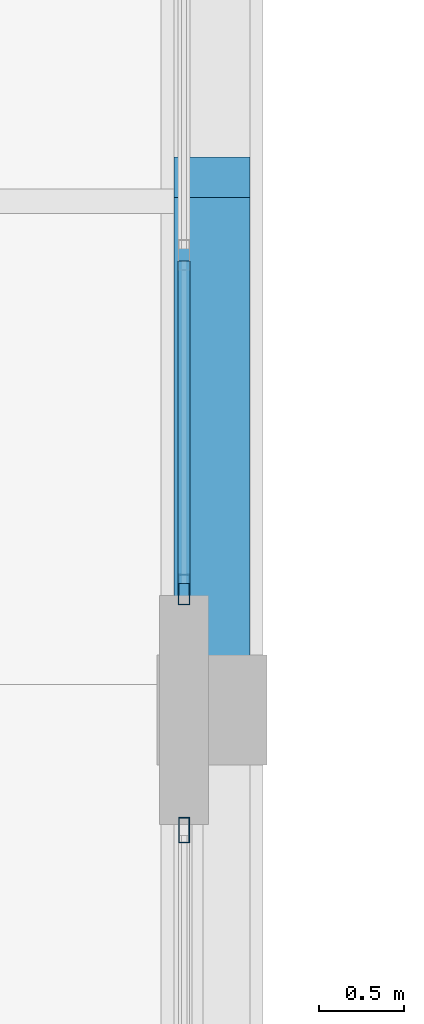
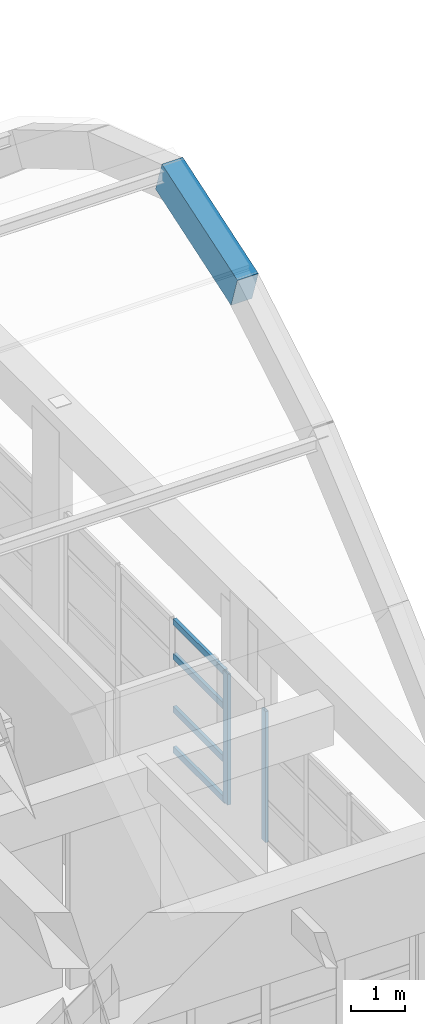
# One storey, part 51 of 103: 6 members, 1 beam, 2 elements without a shape of their own.
"""IFC4 building model written with IfcOpenShell, lengths in metres."""

from ifc_helpers import new_model, si_unit, direction, frame, origin, origin_2d, place, context, subcontext, project, spatial, rectangle, hollow_rectangle, extrude, material, layer, layer_set, material_profile, profile_set, type_object, element, aggregate, save


model = new_model("IFC4")

# Units and contexts
model_context = context("Model", 3, precision=1e-05, world=origin(), true_north=direction((0.0, 1.0)))
body_context = subcontext(model_context, "Body", "Model", "MODEL_VIEW")
ifc_project = project(units=[si_unit("LENGTHUNIT", "METRE"), si_unit("AREAUNIT", "SQUARE_METRE"), si_unit("VOLUMEUNIT", "CUBIC_METRE"), si_unit("PLANEANGLEUNIT", "RADIAN"), si_unit("MASSUNIT", "GRAM", prefix="KILO")], contexts=[model_context])

# Site, building, storey
site_placement = place(None, origin())
site = spatial("IfcSite", under=ifc_project, at=site_placement, CompositionType="ELEMENT")
building_placement = place(site_placement, origin())
building = spatial("IfcBuilding", under=site, at=building_placement, Name="Quendrovan Civic Courthouse", CompositionType="ELEMENT")
storey_placement = place(building_placement, frame((0.0, 0.0, 15.300048828125)))
storey = spatial("IfcBuildingStorey", under=building, at=storey_placement, Name="L04", CompositionType="ELEMENT", Elevation=15.300048828125)

# Beam
ifc_material_1 = material(Name="Concrete C40/50", Category="concrete")
ifc_material_profile_1 = material_profile(ifc_material_1, rectangle(XDim=0.449951171875, YDim=0.75, at=origin_2d()), Name="RC-VRIB-450x750")
ifc_profile_set_1 = profile_set([ifc_material_profile_1], Name="Concrete C40/50")
beam_type = type_object("IfcBeamType", Name="BM-VRIB750", PredefinedType="BEAM", material=ifc_profile_set_1)
beam_placement = place(storey_placement, frame((92.39990234375, 73.531494140625, 11.811279296875), z_axis=(0.0, 0.948848042791, 0.315733101989), x_axis=(-1.0, 0.0, 0.0)))
element("IfcBeam", 1, at=beam_placement, inside=storey, type_object=beam_type, Name="BV2 Concrete Vault Arch Rib A8-C4", PredefinedType="BEAM", context=body_context, shape_type="SweptSolid", body=[
    extrude(rectangle(XDim=0.449951171875, YDim=0.75, at=origin_2d()), origin(), (0.0, 0.0, 1.0), 2.96142578125),
])

# Curtain wall, member
ifc_material_2 = material(Name="Bronze anodised aluminium and low-E glass", Category="aluminium")
ifc_layer_1 = layer(ifc_material_2, 0.179931640625, Name="Bronze anodised aluminium and low-E glass")
ifc_layer_set_1 = layer_set([ifc_layer_1], Name="Bronze anodised aluminium and low-E glass")
curtain_wall_type_1 = type_object("IfcCurtainWallType", Name="CW-U60x30", PredefinedType="USERDEFINED", material=ifc_layer_set_1)
curtain_wall_1_placement = place(storey_placement, origin())
curtain_wall_1 = element("IfcCurtainWall", 2, at=curtain_wall_1_placement, inside=storey, type_object=curtain_wall_type_1, Name="L04 Unitised Hurricane Curtain Wall CW-156", ObjectType="UNITISED CURTAIN WALL", PredefinedType="USERDEFINED")
ifc_material_3 = material(Name="Bronze anodised aluminium", Category="aluminium")
ifc_material_profile_2 = material_profile(ifc_material_3, hollow_rectangle(XDim=0.070068359375, YDim=0.179931640625, WallThickness=0.00390625, at=origin_2d()), Name="CW-MULL-70x180")
ifc_profile_set_2 = profile_set([ifc_material_profile_2], Name="Bronze anodised aluminium")
member_type_1 = type_object("IfcMemberType", Name="CW-MULL-A", PredefinedType="MULLION", material=ifc_profile_set_2)
member_1_placement = place(storey_placement, frame((92.235107421875, 73.909912109375, 0.0), z_axis=(0.0, 0.0, 1.0), x_axis=(1.0, 0.0, 0.0)))
member_1 = element("IfcMember", 3, at=member_1_placement, type_object=member_type_1, Name="CW-156 mullion 4", PredefinedType="MULLION", context=body_context, shape_type="SweptSolid", body=[
    extrude(hollow_rectangle(XDim=0.070068359375, YDim=0.179931640625, WallThickness=0.00390625, at=origin_2d()), origin(), (0.0, 0.0, 1.0), 2.969970703125),
])

ifc_layer_2 = layer(ifc_material_2, 0.179931640625, Name="Bronze anodised aluminium and low-E glass")
ifc_layer_set_2 = layer_set([ifc_layer_2], Name="Bronze anodised aluminium and low-E glass")
curtain_wall_type_2 = type_object("IfcCurtainWallType", Name="CW-U64x30", PredefinedType="USERDEFINED", material=ifc_layer_set_2)
curtain_wall_2_placement = place(storey_placement, origin())
curtain_wall_2 = element("IfcCurtainWall", 4, at=curtain_wall_2_placement, inside=storey, type_object=curtain_wall_type_2, Name="L04 Unitised Hurricane Curtain Wall CW-157", ObjectType="UNITISED CURTAIN WALL", PredefinedType="USERDEFINED")
ifc_material_profile_3 = material_profile(ifc_material_3, hollow_rectangle(XDim=0.06494140625, YDim=0.14990234375, WallThickness=0.00390625, at=origin_2d()), Name="CW-MULL-65x150")
ifc_profile_set_3 = profile_set([ifc_material_profile_3], Name="Bronze anodised aluminium")
member_type_2 = type_object("IfcMemberType", Name="CW-MULL-B", PredefinedType="MULLION", material=ifc_profile_set_3)
member_2_placement = place(storey_placement, frame((92.235107421875, 72.492431640625, 0.0), z_axis=(0.0, 0.0, 1.0), x_axis=(1.0, 0.0, 0.0)))
member_2 = element("IfcMember", 5, at=member_2_placement, type_object=member_type_2, Name="CW-157 mullion 1", PredefinedType="MULLION", context=body_context, shape_type="SweptSolid", body=[
    extrude(hollow_rectangle(XDim=0.06494140625, YDim=0.14990234375, WallThickness=0.00390625, at=origin_2d()), origin(), (0.0, 0.0, 1.0), 2.969970703125),
])
aggregate(curtain_wall_2, [member_2])

# Member
ifc_material_profile_4 = material_profile(ifc_material_3, hollow_rectangle(XDim=0.070068359375, YDim=0.139892578125, WallThickness=0.00390625, at=origin_2d()), Name="CW-TRAN-70x140")
ifc_profile_set_4 = profile_set([ifc_material_profile_4], Name="Bronze anodised aluminium")
member_type_3 = type_object("IfcMemberType", Name="CW-TRAN-A", PredefinedType="USERDEFINED", material=ifc_profile_set_4)
member_3_placement = place(storey_placement, frame((92.235107421875, 75.848388671875, 0.034912109375), z_axis=(0.0, -1.0, 0.0), x_axis=(1.0, 0.0, 0.0)))
member_3 = element("IfcMember", 6, at=member_3_placement, type_object=member_type_3, Name="CW-156 transom 3.1", ObjectType="TRANSOM", PredefinedType="USERDEFINED", context=body_context, shape_type="SweptSolid", body=[
    extrude(hollow_rectangle(XDim=0.070068359375, YDim=0.139892578125, WallThickness=0.00390625, at=origin_2d()), origin(), (0.0, 0.0, 1.0), 1.9033203125),
])

member_4_placement = place(storey_placement, frame((92.235107421875, 75.848388671875, 0.949951171875), z_axis=(0.0, -1.0, 0.0), x_axis=(1.0, 0.0, 0.0)))
member_4 = element("IfcMember", 7, at=member_4_placement, type_object=member_type_3, Name="CW-156 transom 3.2", ObjectType="TRANSOM", PredefinedType="USERDEFINED", context=body_context, shape_type="SweptSolid", body=[
    extrude(hollow_rectangle(XDim=0.070068359375, YDim=0.139892578125, WallThickness=0.00390625, at=origin_2d()), origin(), (0.0, 0.0, 1.0), 1.9033203125),
])

member_5_placement = place(storey_placement, frame((92.235107421875, 75.848388671875, 2.14990234375), z_axis=(0.0, -1.0, 0.0), x_axis=(1.0, 0.0, 0.0)))
member_5 = element("IfcMember", 8, at=member_5_placement, type_object=member_type_3, Name="CW-156 transom 3.3", ObjectType="TRANSOM", PredefinedType="USERDEFINED", context=body_context, shape_type="SweptSolid", body=[
    extrude(hollow_rectangle(XDim=0.070068359375, YDim=0.139892578125, WallThickness=0.00390625, at=origin_2d()), origin(), (0.0, 0.0, 1.0), 1.9033203125),
])

member_6_placement = place(storey_placement, frame((92.235107421875, 75.848388671875, 2.93505859375), z_axis=(0.0, -1.0, 0.0), x_axis=(1.0, 0.0, 0.0)))
member_6 = element("IfcMember", 9, at=member_6_placement, type_object=member_type_3, Name="CW-156 transom 3.4", ObjectType="TRANSOM", PredefinedType="USERDEFINED", context=body_context, shape_type="SweptSolid", body=[
    extrude(hollow_rectangle(XDim=0.070068359375, YDim=0.139892578125, WallThickness=0.00390625, at=origin_2d()), origin(), (0.0, 0.0, 1.0), 1.9033203125),
])

aggregate(curtain_wall_1, [member_1, member_3, member_4, member_5, member_6])

save(model, "model.ifc")
